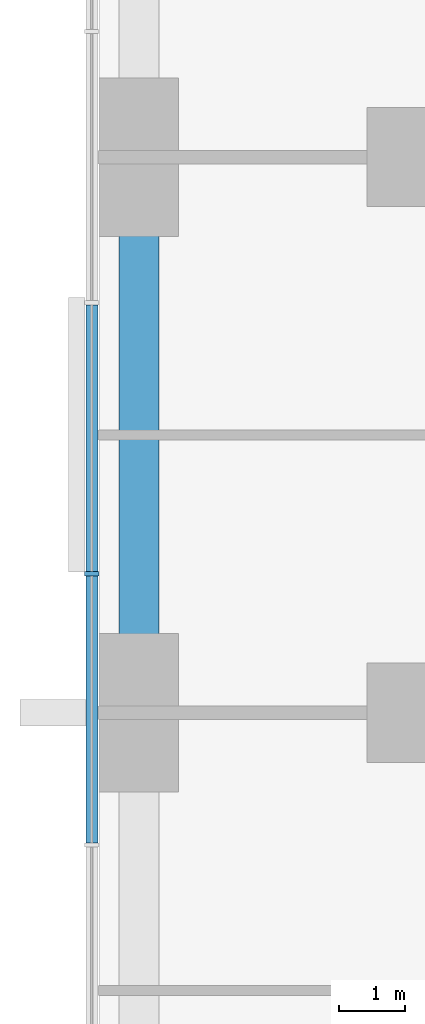
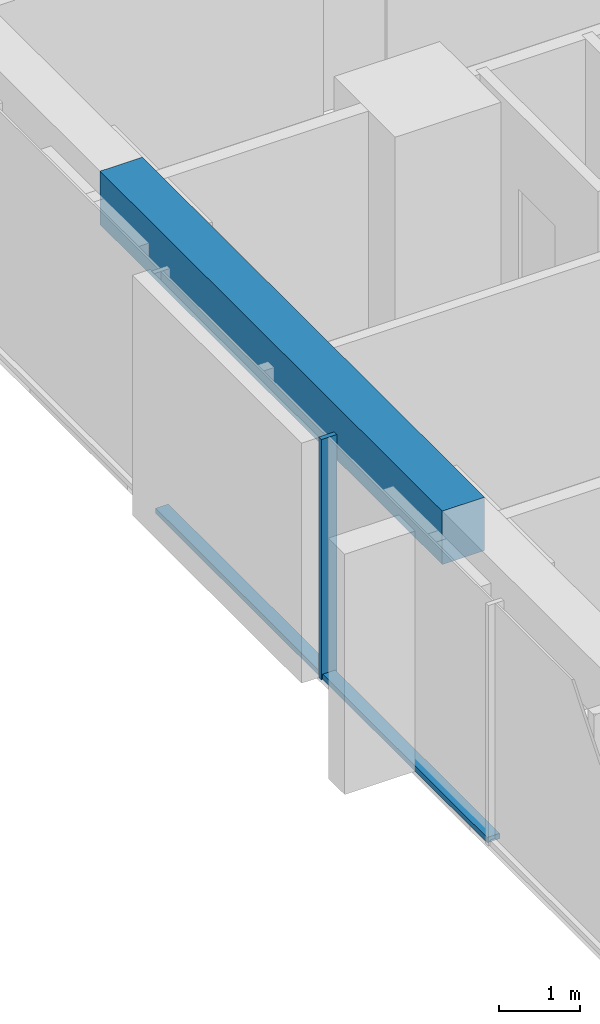
# One storey, part 3 of 14: 3 members, 1 beam, 1 element without a shape of its own.
"""IFC4 building model written with IfcOpenShell, lengths in metres."""

from ifc_helpers import new_model, si_unit, direction, frame, origin, origin_2d, place, context, subcontext, project, spatial, rectangle, extrude, material, material_profile, profile_set, type_object, element, aggregate, save


model = new_model("IFC4")

# Units and contexts
model_context = context("Model", 3, precision=1e-05, world=origin(), true_north=direction((0.0, 1.0)))
body_context = subcontext(model_context, "Body", "Model", "MODEL_VIEW")
ifc_project = project(units=[si_unit("LENGTHUNIT", "METRE"), si_unit("AREAUNIT", "SQUARE_METRE"), si_unit("VOLUMEUNIT", "CUBIC_METRE"), si_unit("PLANEANGLEUNIT", "RADIAN"), si_unit("MASSUNIT", "GRAM", prefix="KILO")], contexts=[model_context])

# Site, building, storey
site_placement = place(None, origin())
site = spatial("IfcSite", under=ifc_project, at=site_placement, CompositionType="ELEMENT")
building_placement = place(site_placement, origin())
building = spatial("IfcBuilding", under=site, at=building_placement, Name="Dunama Terrace Hotel", CompositionType="ELEMENT")
storey_placement = place(building_placement, frame((0.0, 0.0, 104.39990234375)))
storey = spatial("IfcBuildingStorey", under=building, at=storey_placement, Name="L26", CompositionType="ELEMENT", Elevation=104.39990234375)

# Curtain wall, members
ifc_material_1 = material(Name="Aluminium curtain wall system", Category="aluminium")
curtain_wall_type = type_object("IfcCurtainWallType", Name="Unitised fritted glass wall CW-B", PredefinedType="NOTDEFINED", material=ifc_material_1)
curtain_wall_placement = place(storey_placement, origin())
curtain_wall = element("IfcCurtainWall", 1, at=curtain_wall_placement, inside=storey, type_object=curtain_wall_type, Name="Unitised fritted glass wall CW-B L26", PredefinedType="NOTDEFINED")
ifc_material_2 = material(Name="Aluminium mullion", Category="aluminium")
ifc_material_profile_1 = material_profile(ifc_material_2, rectangle(XDim=0.06494140625, YDim=0.219970703125, at=origin_2d()), Name="CWB MULLION 65X220")
ifc_profile_set_1 = profile_set([ifc_material_profile_1], Name="Aluminium mullion")
member_type_1 = type_object("IfcMemberType", Name="CWB mullion 65x220", PredefinedType="MULLION", material=ifc_profile_set_1)
member_1_placement = place(storey_placement, frame((-0.110107421875, 27.300048828125, 0.0), z_axis=(0.0, 0.0, 1.0), x_axis=(0.0, -1.0, 0.0)))
member_1 = element("IfcMember", 2, at=member_1_placement, type_object=member_type_1, Name="CWB mullion", PredefinedType="MULLION", context=body_context, shape_type="SweptSolid", body=[
    extrude(rectangle(XDim=0.06494140625, YDim=0.219970703125, at=origin_2d()), origin(), (0.0, 0.0, 1.0), 3.60009765625),
])
ifc_material_3 = material(Name="Aluminium transom", Category="aluminium")
ifc_material_profile_2 = material_profile(ifc_material_3, rectangle(XDim=0.179931640625, YDim=0.080078125, at=origin_2d()), Name="CWB TRANSOM 180X80")
ifc_profile_set_2 = profile_set([ifc_material_profile_2], Name="Aluminium transom")
member_type_2 = type_object("IfcMemberType", Name="CWB transom 180x80", PredefinedType="USERDEFINED", material=ifc_profile_set_2)
member_2_placement = place(storey_placement, frame((-0.110107421875, 31.366943359375, 0.0400390625), z_axis=(0.0, -1.0, 0.0), x_axis=(1.0, 0.0, 0.0)))
member_2 = element("IfcMember", 3, at=member_2_placement, type_object=member_type_2, Name="CWB transom", ObjectType="TRANSOM", PredefinedType="USERDEFINED", context=body_context, shape_type="SweptSolid", body=[
    extrude(rectangle(XDim=0.179931640625, YDim=0.080078125, at=origin_2d()), origin(), (0.0, 0.0, 1.0), 4.034912109375),
])
member_3_placement = place(storey_placement, frame((-0.110107421875, 27.26806640625, 0.0400390625), z_axis=(0.0, -1.0, 0.0), x_axis=(1.0, 0.0, 0.0)))
member_3 = element("IfcMember", 4, at=member_3_placement, type_object=member_type_2, Name="CWB transom", ObjectType="TRANSOM", PredefinedType="USERDEFINED", context=body_context, shape_type="SweptSolid", body=[
    extrude(rectangle(XDim=0.179931640625, YDim=0.080078125, at=origin_2d()), origin(), (0.0, 0.0, 1.0), 4.03515625),
])
aggregate(curtain_wall, [member_1, member_2, member_3])

# Beam
ifc_material_4 = material(Name="Concrete C40/50", Category="concrete")
ifc_material_profile_3 = material_profile(ifc_material_4, rectangle(XDim=0.60009765625, YDim=0.800048828125, at=origin_2d()), Name="RC 600x800")
ifc_profile_set_3 = profile_set([ifc_material_profile_3], Name="Concrete C40/50")
beam_type = type_object("IfcBeamType", Name="Edge beam RC 600x800", PredefinedType="SPANDREL", material=ifc_profile_set_3)
beam_placement = place(storey_placement, frame((0.60009765625, 25.199951171875, 3.2001953125), z_axis=(0.0, 1.0, 0.0), x_axis=(-1.0, 0.0, 0.0)))
element("IfcBeam", 5, at=beam_placement, inside=storey, type_object=beam_type, Name="Edge beam under L27", PredefinedType="SPANDREL", context=body_context, shape_type="SweptSolid", body=[
    extrude(rectangle(XDim=0.60009765625, YDim=0.800048828125, at=origin_2d()), origin(), (0.0, 0.0, 1.0), 8.400146484375),
])

save(model, "model.ifc")
